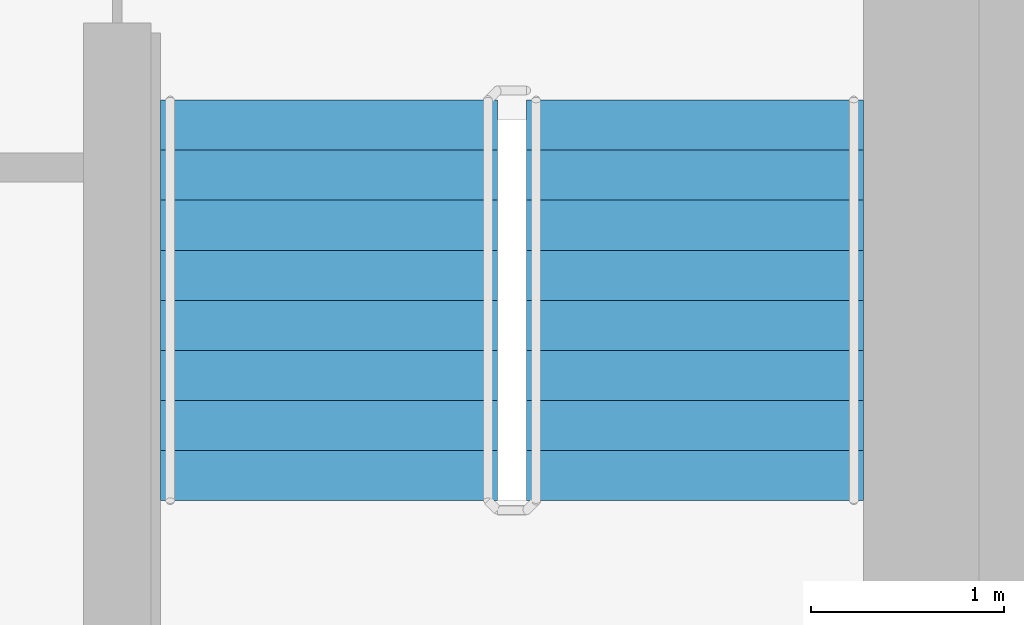
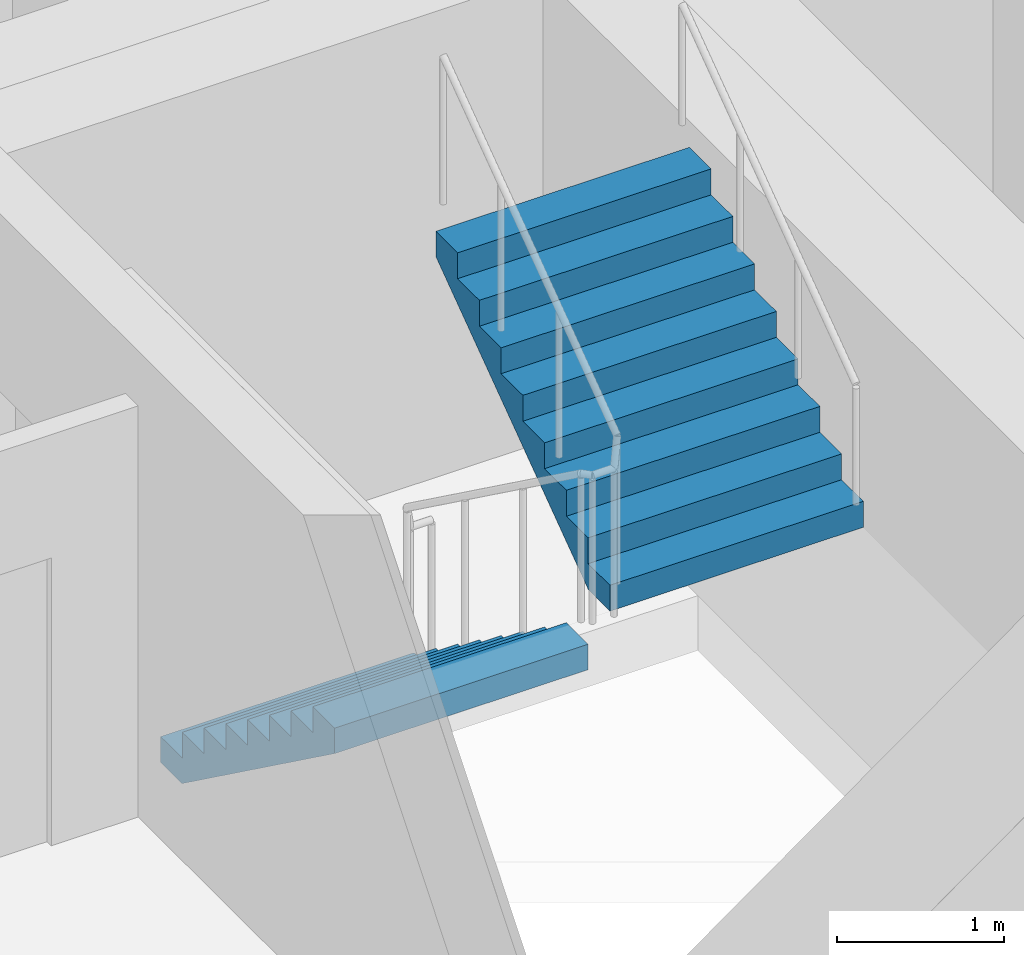
# One storey, part 14 of 18: 2 stair flights, 1 element without a shape of its own.
"""IFC4 building model written with IfcOpenShell, lengths in metres."""

from ifc_helpers import new_model, si_unit, direction, frame, origin, place, context, subcontext, project, spatial, faceted_brep, material, type_object, element, aggregate, save


model = new_model("IFC4")

# Units and contexts
model_context = context("Model", 3, precision=1e-05, world=origin(), true_north=direction((0.0, 1.0)))
body_context = subcontext(model_context, "Body", "Model", "MODEL_VIEW")
ifc_project = project(units=[si_unit("LENGTHUNIT", "METRE"), si_unit("AREAUNIT", "SQUARE_METRE"), si_unit("VOLUMEUNIT", "CUBIC_METRE"), si_unit("PLANEANGLEUNIT", "RADIAN"), si_unit("MASSUNIT", "GRAM", prefix="KILO")], contexts=[model_context])

# Site, building, storey
site_placement = place(None, origin())
site = spatial("IfcSite", under=ifc_project, at=site_placement, CompositionType="ELEMENT")
building_placement = place(site_placement, origin())
building = spatial("IfcBuilding", under=site, at=building_placement, Name="Ipe Terrace Towers", CompositionType="ELEMENT")
storey_placement = place(building_placement, frame((0.0, 0.0, 223.199951171875)))
storey = spatial("IfcBuildingStorey", under=building, at=storey_placement, Name="L62", CompositionType="ELEMENT", Elevation=223.199951171875)

# Stair, stair flights
ifc_material_1 = material(Name="Concrete C30/37", Category="concrete")
stair_type = type_object("IfcStairType", Name="Protected exit stair", PredefinedType="HALF_TURN_STAIR", material=ifc_material_1)
stair_placement = place(storey_placement, origin())
stair = element("IfcStair", 1, at=stair_placement, inside=storey, type_object=stair_type, Name="L62 Exit stair T2-C2", PredefinedType="HALF_TURN_STAIR")
ifc_material_2 = material(Name="Concrete C30/37", Category="concrete")
stair_flight_type = type_object("IfcStairFlightType", Name="Exit stair flight 1750", PredefinedType="STRAIGHT", material=ifc_material_2)
stair_flight_1_placement = place(storey_placement, frame((38.77490234375, -9.699951171875, 0.0), z_axis=(0.0, 0.0, 1.0), x_axis=(0.0, -1.0, 0.0)))
stair_flight_1 = element("IfcStairFlight", 2, at=stair_flight_1_placement, type_object=stair_flight_type, Name="T2-ST2 flight 1", NumberOfRisers=9, NumberOfTreads=8, PredefinedType="STRAIGHT", RiserHeight=0.188888889, TreadLength=0.26, context=body_context, shape_type="Brep", body=[
    faceted_brep([(0.255126953125, -0.875, 0.0), (2.080078125, -0.875, 1.325927734375), (2.080078125, -0.875, 1.51123046875), (1.820068359375, -0.875, 1.51123046875), (1.820068359375, -0.875, 1.322265625), (1.56005859375, -0.875, 1.322265625), (1.56005859375, -0.875, 1.13330078125), (1.300048828125, -0.875, 1.13330078125), (1.300048828125, -0.875, 0.9443359375), (1.0400390625, -0.875, 0.9443359375), (1.0400390625, -0.875, 0.755615234375), (0.780029296875, -0.875, 0.755615234375), (0.780029296875, -0.875, 0.566650390625), (0.52001953125, -0.875, 0.566650390625), (0.52001953125, -0.875, 0.377685546875), (0.260009765625, -0.875, 0.377685546875), (0.260009765625, -0.875, 0.18896484375), (0.0, -0.875, 0.18896484375), (0.0, -0.875, 0.0), (0.0, 0.875, 0.0), (0.0, 0.875, 0.18896484375), (0.260009765625, 0.875, 0.18896484375), (0.260009765625, 0.875, 0.377685546875), (0.52001953125, 0.875, 0.377685546875), (0.52001953125, 0.875, 0.566650390625), (0.780029296875, 0.875, 0.566650390625), (0.780029296875, 0.875, 0.755615234375), (1.0400390625, 0.875, 0.755615234375), (1.0400390625, 0.875, 0.9443359375), (1.300048828125, 0.875, 0.9443359375), (1.300048828125, 0.875, 1.13330078125), (1.56005859375, 0.875, 1.13330078125), (1.56005859375, 0.875, 1.322265625), (1.820068359375, 0.875, 1.322265625), (1.820068359375, 0.875, 1.51123046875), (2.080078125, 0.875, 1.51123046875), (2.080078125, 0.875, 1.325927734375), (0.255126953125, 0.875, 0.0), (0.0, -0.300048828125, 0.18896484375), (0.0, -0.1201171875, 0.18896484375), (0.0, -0.06005859375, 0.18896484375), (0.0, -0.030029296875, 0.18896484375), (0.0, -0.010009765625, 0.18896484375), (0.0, 0.0, 0.18896484375), (0.0, 0.010009765625, 0.18896484375), (0.0, 0.030029296875, 0.18896484375), (0.0, 0.06005859375, 0.18896484375), (0.0, 0.1201171875, 0.18896484375), (0.0, 0.300048828125, 0.18896484375), (0.0, 0.300048828125, 0.0), (0.0, 0.1201171875, 0.0), (0.0, 0.06005859375, 0.0), (0.0, 0.030029296875, 0.0), (0.0, 0.010009765625, 0.0), (0.0, 0.0, 0.0), (0.0, -0.010009765625, 0.0), (0.0, -0.030029296875, 0.0), (0.0, -0.06005859375, 0.0), (0.0, -0.1201171875, 0.0), (0.0, -0.300048828125, 0.0), (0.260009765625, -0.300048828125, 0.18896484375), (0.260009765625, -0.1201171875, 0.18896484375), (0.260009765625, -0.06005859375, 0.18896484375), (0.260009765625, -0.030029296875, 0.18896484375), (0.260009765625, -0.010009765625, 0.18896484375), (0.260009765625, 0.0, 0.18896484375), (0.260009765625, 0.010009765625, 0.18896484375), (0.260009765625, 0.030029296875, 0.18896484375), (0.260009765625, 0.06005859375, 0.18896484375), (0.260009765625, 0.1201171875, 0.18896484375), (0.260009765625, 0.300048828125, 0.18896484375), (0.260009765625, -0.300048828125, 0.377685546875), (0.260009765625, -0.1201171875, 0.377685546875), (0.260009765625, -0.06005859375, 0.377685546875), (0.260009765625, -0.030029296875, 0.377685546875), (0.260009765625, -0.010009765625, 0.377685546875), (0.260009765625, 0.0, 0.377685546875), (0.260009765625, 0.010009765625, 0.377685546875), (0.260009765625, 0.030029296875, 0.377685546875), (0.260009765625, 0.06005859375, 0.377685546875), (0.260009765625, 0.1201171875, 0.377685546875), (0.260009765625, 0.300048828125, 0.377685546875), (0.52001953125, -0.300048828125, 0.377685546875), (0.52001953125, -0.1201171875, 0.377685546875), (0.52001953125, -0.06005859375, 0.377685546875), (0.52001953125, -0.030029296875, 0.377685546875), (0.52001953125, -0.010009765625, 0.377685546875), (0.52001953125, 0.0, 0.377685546875), (0.52001953125, 0.010009765625, 0.377685546875), (0.52001953125, 0.030029296875, 0.377685546875), (0.52001953125, 0.06005859375, 0.377685546875), (0.52001953125, 0.1201171875, 0.377685546875), (0.52001953125, 0.300048828125, 0.377685546875), (0.52001953125, -0.300048828125, 0.566650390625), (0.52001953125, -0.1201171875, 0.566650390625), (0.52001953125, -0.06005859375, 0.566650390625), (0.52001953125, -0.030029296875, 0.566650390625), (0.52001953125, -0.010009765625, 0.566650390625), (0.52001953125, 0.0, 0.566650390625), (0.52001953125, 0.010009765625, 0.566650390625), (0.52001953125, 0.030029296875, 0.566650390625), (0.52001953125, 0.06005859375, 0.566650390625), (0.52001953125, 0.1201171875, 0.566650390625), (0.52001953125, 0.300048828125, 0.566650390625), (0.780029296875, -0.300048828125, 0.566650390625), (0.780029296875, -0.1201171875, 0.566650390625), (0.780029296875, -0.06005859375, 0.566650390625), (0.780029296875, -0.030029296875, 0.566650390625), (0.780029296875, -0.010009765625, 0.566650390625), (0.780029296875, 0.0, 0.566650390625), (0.780029296875, 0.010009765625, 0.566650390625), (0.780029296875, 0.030029296875, 0.566650390625), (0.780029296875, 0.06005859375, 0.566650390625), (0.780029296875, 0.1201171875, 0.566650390625), (0.780029296875, 0.300048828125, 0.566650390625), (0.780029296875, -0.300048828125, 0.755615234375), (0.780029296875, -0.1201171875, 0.755615234375), (0.780029296875, -0.06005859375, 0.755615234375), (0.780029296875, -0.030029296875, 0.755615234375), (0.780029296875, -0.010009765625, 0.755615234375), (0.780029296875, 0.0, 0.755615234375), (0.780029296875, 0.010009765625, 0.755615234375), (0.780029296875, 0.030029296875, 0.755615234375), (0.780029296875, 0.06005859375, 0.755615234375), (0.780029296875, 0.1201171875, 0.755615234375), (0.780029296875, 0.300048828125, 0.755615234375), (1.0400390625, -0.300048828125, 0.755615234375), (1.0400390625, -0.1201171875, 0.755615234375), (1.0400390625, -0.06005859375, 0.755615234375), (1.0400390625, -0.030029296875, 0.755615234375), (1.0400390625, -0.010009765625, 0.755615234375), (1.0400390625, 0.0, 0.755615234375), (1.0400390625, 0.010009765625, 0.755615234375), (1.0400390625, 0.030029296875, 0.755615234375), (1.0400390625, 0.06005859375, 0.755615234375), (1.0400390625, 0.1201171875, 0.755615234375), (1.0400390625, 0.300048828125, 0.755615234375), (1.0400390625, -0.300048828125, 0.9443359375), (1.0400390625, -0.1201171875, 0.9443359375), (1.0400390625, -0.06005859375, 0.9443359375), (1.0400390625, -0.030029296875, 0.9443359375), (1.0400390625, -0.010009765625, 0.9443359375), (1.0400390625, 0.0, 0.9443359375), (1.0400390625, 0.010009765625, 0.9443359375), (1.0400390625, 0.030029296875, 0.9443359375), (1.0400390625, 0.06005859375, 0.9443359375), (1.0400390625, 0.1201171875, 0.9443359375), (1.0400390625, 0.300048828125, 0.9443359375), (1.300048828125, -0.300048828125, 0.9443359375), (1.300048828125, -0.1201171875, 0.9443359375), (1.300048828125, -0.06005859375, 0.9443359375), (1.300048828125, -0.030029296875, 0.9443359375), (1.300048828125, -0.010009765625, 0.9443359375), (1.300048828125, 0.0, 0.9443359375), (1.300048828125, 0.010009765625, 0.9443359375), (1.300048828125, 0.030029296875, 0.9443359375), (1.300048828125, 0.06005859375, 0.9443359375), (1.300048828125, 0.1201171875, 0.9443359375), (1.300048828125, 0.300048828125, 0.9443359375), (1.300048828125, -0.300048828125, 1.13330078125), (1.300048828125, -0.1201171875, 1.13330078125), (1.300048828125, -0.06005859375, 1.13330078125), (1.300048828125, -0.030029296875, 1.13330078125), (1.300048828125, -0.010009765625, 1.13330078125), (1.300048828125, 0.0, 1.13330078125), (1.300048828125, 0.010009765625, 1.13330078125), (1.300048828125, 0.030029296875, 1.13330078125), (1.300048828125, 0.06005859375, 1.13330078125), (1.300048828125, 0.1201171875, 1.13330078125), (1.300048828125, 0.300048828125, 1.13330078125), (1.56005859375, -0.300048828125, 1.13330078125), (1.56005859375, -0.1201171875, 1.13330078125), (1.56005859375, -0.06005859375, 1.13330078125), (1.56005859375, -0.030029296875, 1.13330078125), (1.56005859375, -0.010009765625, 1.13330078125), (1.56005859375, 0.0, 1.13330078125), (1.56005859375, 0.010009765625, 1.13330078125), (1.56005859375, 0.030029296875, 1.13330078125), (1.56005859375, 0.06005859375, 1.13330078125), (1.56005859375, 0.1201171875, 1.13330078125), (1.56005859375, 0.300048828125, 1.13330078125), (1.56005859375, -0.300048828125, 1.322265625), (1.56005859375, -0.1201171875, 1.322265625), (1.56005859375, -0.06005859375, 1.322265625), (1.56005859375, -0.030029296875, 1.322265625), (1.56005859375, -0.010009765625, 1.322265625), (1.56005859375, 0.0, 1.322265625), (1.56005859375, 0.010009765625, 1.322265625), (1.56005859375, 0.030029296875, 1.322265625), (1.56005859375, 0.06005859375, 1.322265625), (1.56005859375, 0.1201171875, 1.322265625), (1.56005859375, 0.300048828125, 1.322265625), (1.820068359375, -0.300048828125, 1.322265625), (1.820068359375, -0.1201171875, 1.322265625), (1.820068359375, -0.06005859375, 1.322265625), (1.820068359375, -0.030029296875, 1.322265625), (1.820068359375, -0.010009765625, 1.322265625), (1.820068359375, 0.0, 1.322265625), (1.820068359375, 0.010009765625, 1.322265625), (1.820068359375, 0.030029296875, 1.322265625), (1.820068359375, 0.06005859375, 1.322265625), (1.820068359375, 0.1201171875, 1.322265625), (1.820068359375, 0.300048828125, 1.322265625), (1.820068359375, -0.300048828125, 1.51123046875), (1.820068359375, -0.1201171875, 1.51123046875), (1.820068359375, -0.06005859375, 1.51123046875), (1.820068359375, -0.030029296875, 1.51123046875), (1.820068359375, -0.010009765625, 1.51123046875), (1.820068359375, 0.0, 1.51123046875), (1.820068359375, 0.010009765625, 1.51123046875), (1.820068359375, 0.030029296875, 1.51123046875), (1.820068359375, 0.06005859375, 1.51123046875), (1.820068359375, 0.1201171875, 1.51123046875), (1.820068359375, 0.300048828125, 1.51123046875), (2.080078125, -0.300048828125, 1.51123046875), (2.080078125, -0.1201171875, 1.51123046875), (2.080078125, -0.06005859375, 1.51123046875), (2.080078125, -0.030029296875, 1.51123046875), (2.080078125, -0.010009765625, 1.51123046875), (2.080078125, 0.0, 1.51123046875), (2.080078125, 0.010009765625, 1.51123046875), (2.080078125, 0.030029296875, 1.51123046875), (2.080078125, 0.06005859375, 1.51123046875), (2.080078125, 0.1201171875, 1.51123046875), (2.080078125, 0.300048828125, 1.51123046875), (2.080078125, -0.300048828125, 1.325927734375), (2.080078125, -0.1201171875, 1.325927734375), (2.080078125, -0.06005859375, 1.325927734375), (2.080078125, -0.030029296875, 1.325927734375), (2.080078125, -0.010009765625, 1.325927734375), (2.080078125, 0.0, 1.325927734375), (2.080078125, 0.010009765625, 1.325927734375), (2.080078125, 0.030029296875, 1.325927734375), (2.080078125, 0.06005859375, 1.325927734375), (2.080078125, 0.1201171875, 1.325927734375), (2.080078125, 0.300048828125, 1.325927734375), (0.255126953125, -0.300048828125, 0.0), (0.255126953125, -0.1201171875, 0.0), (0.255126953125, -0.06005859375, 0.0), (0.255126953125, -0.030029296875, 0.0), (0.255126953125, -0.010009765625, 0.0), (0.255126953125, 0.0, 0.0), (0.255126953125, 0.010009765625, 0.0), (0.255126953125, 0.030029296875, 0.0), (0.255126953125, 0.06005859375, 0.0), (0.255126953125, 0.1201171875, 0.0), (0.255126953125, 0.300048828125, 0.0)], [[[0, 1, 2, 3, 4, 5, 6, 7, 8, 9, 10, 11, 12, 13, 14, 15, 16, 17, 18]], [[19, 20, 21, 22, 23, 24, 25, 26, 27, 28, 29, 30, 31, 32, 33, 34, 35, 36, 37]], [[17, 38, 39, 40, 41, 42, 43, 44, 45, 46, 47, 48, 20, 19, 49, 50, 51, 52, 53, 54, 55, 56, 57, 58, 59, 18]], [[16, 60, 61, 62, 63, 64, 65, 66, 67, 68, 69, 70, 21, 20, 48, 47, 46, 45, 44, 43, 42, 41, 40, 39, 38, 17]], [[15, 71, 72, 73, 74, 75, 76, 77, 78, 79, 80, 81, 22, 21, 70, 69, 68, 67, 66, 65, 64, 63, 62, 61, 60, 16]], [[14, 82, 83, 84, 85, 86, 87, 88, 89, 90, 91, 92, 23, 22, 81, 80, 79, 78, 77, 76, 75, 74, 73, 72, 71, 15]], [[13, 93, 94, 95, 96, 97, 98, 99, 100, 101, 102, 103, 24, 23, 92, 91, 90, 89, 88, 87, 86, 85, 84, 83, 82, 14]], [[12, 104, 105, 106, 107, 108, 109, 110, 111, 112, 113, 114, 25, 24, 103, 102, 101, 100, 99, 98, 97, 96, 95, 94, 93, 13]], [[11, 115, 116, 117, 118, 119, 120, 121, 122, 123, 124, 125, 26, 25, 114, 113, 112, 111, 110, 109, 108, 107, 106, 105, 104, 12]], [[10, 126, 127, 128, 129, 130, 131, 132, 133, 134, 135, 136, 27, 26, 125, 124, 123, 122, 121, 120, 119, 118, 117, 116, 115, 11]], [[9, 137, 138, 139, 140, 141, 142, 143, 144, 145, 146, 147, 28, 27, 136, 135, 134, 133, 132, 131, 130, 129, 128, 127, 126, 10]], [[8, 148, 149, 150, 151, 152, 153, 154, 155, 156, 157, 158, 29, 28, 147, 146, 145, 144, 143, 142, 141, 140, 139, 138, 137, 9]], [[7, 159, 160, 161, 162, 163, 164, 165, 166, 167, 168, 169, 30, 29, 158, 157, 156, 155, 154, 153, 152, 151, 150, 149, 148, 8]], [[6, 170, 171, 172, 173, 174, 175, 176, 177, 178, 179, 180, 31, 30, 169, 168, 167, 166, 165, 164, 163, 162, 161, 160, 159, 7]], [[5, 181, 182, 183, 184, 185, 186, 187, 188, 189, 190, 191, 32, 31, 180, 179, 178, 177, 176, 175, 174, 173, 172, 171, 170, 6]], [[4, 192, 193, 194, 195, 196, 197, 198, 199, 200, 201, 202, 33, 32, 191, 190, 189, 188, 187, 186, 185, 184, 183, 182, 181, 5]], [[3, 203, 204, 205, 206, 207, 208, 209, 210, 211, 212, 213, 34, 33, 202, 201, 200, 199, 198, 197, 196, 195, 194, 193, 192, 4]], [[2, 214, 215, 216, 217, 218, 219, 220, 221, 222, 223, 224, 35, 34, 213, 212, 211, 210, 209, 208, 207, 206, 205, 204, 203, 3]], [[1, 225, 226, 227, 228, 229, 230, 231, 232, 233, 234, 235, 36, 35, 224, 223, 222, 221, 220, 219, 218, 217, 216, 215, 214, 2]], [[0, 236, 237, 238, 239, 240, 241, 242, 243, 244, 245, 246, 37, 36, 235, 234, 233, 232, 231, 230, 229, 228, 227, 226, 225, 1]], [[18, 59, 58, 57, 56, 55, 54, 53, 52, 51, 50, 49, 19, 37, 246, 245, 244, 243, 242, 241, 240, 239, 238, 237, 236, 0]]]),
])
stair_flight_2_placement = place(storey_placement, frame((40.675048828125, -11.780029296875, 1.699951171875), z_axis=(0.0, 0.0, 1.0), x_axis=(0.0, 1.0, 0.0)))
stair_flight_2 = element("IfcStairFlight", 3, at=stair_flight_2_placement, type_object=stair_flight_type, Name="T2-ST2 flight 2", NumberOfRisers=9, NumberOfTreads=8, PredefinedType="STRAIGHT", RiserHeight=0.188888889, TreadLength=0.26, context=body_context, shape_type="Brep", body=[
    faceted_brep([(0.255126953125, -0.875, 0.0), (2.080078125, -0.875, 1.325927734375), (2.080078125, -0.875, 1.51123046875), (1.820068359375, -0.875, 1.51123046875), (1.820068359375, -0.875, 1.322265625), (1.56005859375, -0.875, 1.322265625), (1.56005859375, -0.875, 1.13330078125), (1.300048828125, -0.875, 1.13330078125), (1.300048828125, -0.875, 0.9443359375), (1.0400390625, -0.875, 0.9443359375), (1.0400390625, -0.875, 0.755615234375), (0.780029296875, -0.875, 0.755615234375), (0.780029296875, -0.875, 0.566650390625), (0.52001953125, -0.875, 0.566650390625), (0.52001953125, -0.875, 0.377685546875), (0.260009765625, -0.875, 0.377685546875), (0.260009765625, -0.875, 0.18896484375), (0.0, -0.875, 0.18896484375), (0.0, -0.875, 0.0), (0.0, 0.875, 0.0), (0.0, 0.875, 0.18896484375), (0.260009765625, 0.875, 0.18896484375), (0.260009765625, 0.875, 0.377685546875), (0.52001953125, 0.875, 0.377685546875), (0.52001953125, 0.875, 0.566650390625), (0.780029296875, 0.875, 0.566650390625), (0.780029296875, 0.875, 0.755615234375), (1.0400390625, 0.875, 0.755615234375), (1.0400390625, 0.875, 0.9443359375), (1.300048828125, 0.875, 0.9443359375), (1.300048828125, 0.875, 1.13330078125), (1.56005859375, 0.875, 1.13330078125), (1.56005859375, 0.875, 1.322265625), (1.820068359375, 0.875, 1.322265625), (1.820068359375, 0.875, 1.51123046875), (2.080078125, 0.875, 1.51123046875), (2.080078125, 0.875, 1.325927734375), (0.255126953125, 0.875, 0.0), (0.0, -0.300048828125, 0.18896484375), (0.0, -0.1201171875, 0.18896484375), (0.0, -0.06005859375, 0.18896484375), (0.0, -0.030029296875, 0.18896484375), (0.0, -0.010009765625, 0.18896484375), (0.0, 0.0, 0.18896484375), (0.0, 0.010009765625, 0.18896484375), (0.0, 0.030029296875, 0.18896484375), (0.0, 0.06005859375, 0.18896484375), (0.0, 0.1201171875, 0.18896484375), (0.0, 0.300048828125, 0.18896484375), (0.0, 0.300048828125, 0.0), (0.0, 0.1201171875, 0.0), (0.0, 0.06005859375, 0.0), (0.0, 0.030029296875, 0.0), (0.0, 0.010009765625, 0.0), (0.0, 0.0, 0.0), (0.0, -0.010009765625, 0.0), (0.0, -0.030029296875, 0.0), (0.0, -0.06005859375, 0.0), (0.0, -0.1201171875, 0.0), (0.0, -0.300048828125, 0.0), (0.260009765625, -0.300048828125, 0.18896484375), (0.260009765625, -0.1201171875, 0.18896484375), (0.260009765625, -0.06005859375, 0.18896484375), (0.260009765625, -0.030029296875, 0.18896484375), (0.260009765625, -0.010009765625, 0.18896484375), (0.260009765625, 0.0, 0.18896484375), (0.260009765625, 0.010009765625, 0.18896484375), (0.260009765625, 0.030029296875, 0.18896484375), (0.260009765625, 0.06005859375, 0.18896484375), (0.260009765625, 0.1201171875, 0.18896484375), (0.260009765625, 0.300048828125, 0.18896484375), (0.260009765625, -0.300048828125, 0.377685546875), (0.260009765625, -0.1201171875, 0.377685546875), (0.260009765625, -0.06005859375, 0.377685546875), (0.260009765625, -0.030029296875, 0.377685546875), (0.260009765625, -0.010009765625, 0.377685546875), (0.260009765625, 0.0, 0.377685546875), (0.260009765625, 0.010009765625, 0.377685546875), (0.260009765625, 0.030029296875, 0.377685546875), (0.260009765625, 0.06005859375, 0.377685546875), (0.260009765625, 0.1201171875, 0.377685546875), (0.260009765625, 0.300048828125, 0.377685546875), (0.52001953125, -0.300048828125, 0.377685546875), (0.52001953125, -0.1201171875, 0.377685546875), (0.52001953125, -0.06005859375, 0.377685546875), (0.52001953125, -0.030029296875, 0.377685546875), (0.52001953125, -0.010009765625, 0.377685546875), (0.52001953125, 0.0, 0.377685546875), (0.52001953125, 0.010009765625, 0.377685546875), (0.52001953125, 0.030029296875, 0.377685546875), (0.52001953125, 0.06005859375, 0.377685546875), (0.52001953125, 0.1201171875, 0.377685546875), (0.52001953125, 0.300048828125, 0.377685546875), (0.52001953125, -0.300048828125, 0.566650390625), (0.52001953125, -0.1201171875, 0.566650390625), (0.52001953125, -0.06005859375, 0.566650390625), (0.52001953125, -0.030029296875, 0.566650390625), (0.52001953125, -0.010009765625, 0.566650390625), (0.52001953125, 0.0, 0.566650390625), (0.52001953125, 0.010009765625, 0.566650390625), (0.52001953125, 0.030029296875, 0.566650390625), (0.52001953125, 0.06005859375, 0.566650390625), (0.52001953125, 0.1201171875, 0.566650390625), (0.52001953125, 0.300048828125, 0.566650390625), (0.780029296875, -0.300048828125, 0.566650390625), (0.780029296875, -0.1201171875, 0.566650390625), (0.780029296875, -0.06005859375, 0.566650390625), (0.780029296875, -0.030029296875, 0.566650390625), (0.780029296875, -0.010009765625, 0.566650390625), (0.780029296875, 0.0, 0.566650390625), (0.780029296875, 0.010009765625, 0.566650390625), (0.780029296875, 0.030029296875, 0.566650390625), (0.780029296875, 0.06005859375, 0.566650390625), (0.780029296875, 0.1201171875, 0.566650390625), (0.780029296875, 0.300048828125, 0.566650390625), (0.780029296875, -0.300048828125, 0.755615234375), (0.780029296875, -0.1201171875, 0.755615234375), (0.780029296875, -0.06005859375, 0.755615234375), (0.780029296875, -0.030029296875, 0.755615234375), (0.780029296875, -0.010009765625, 0.755615234375), (0.780029296875, 0.0, 0.755615234375), (0.780029296875, 0.010009765625, 0.755615234375), (0.780029296875, 0.030029296875, 0.755615234375), (0.780029296875, 0.06005859375, 0.755615234375), (0.780029296875, 0.1201171875, 0.755615234375), (0.780029296875, 0.300048828125, 0.755615234375), (1.0400390625, -0.300048828125, 0.755615234375), (1.0400390625, -0.1201171875, 0.755615234375), (1.0400390625, -0.06005859375, 0.755615234375), (1.0400390625, -0.030029296875, 0.755615234375), (1.0400390625, -0.010009765625, 0.755615234375), (1.0400390625, 0.0, 0.755615234375), (1.0400390625, 0.010009765625, 0.755615234375), (1.0400390625, 0.030029296875, 0.755615234375), (1.0400390625, 0.06005859375, 0.755615234375), (1.0400390625, 0.1201171875, 0.755615234375), (1.0400390625, 0.300048828125, 0.755615234375), (1.0400390625, -0.300048828125, 0.9443359375), (1.0400390625, -0.1201171875, 0.9443359375), (1.0400390625, -0.06005859375, 0.9443359375), (1.0400390625, -0.030029296875, 0.9443359375), (1.0400390625, -0.010009765625, 0.9443359375), (1.0400390625, 0.0, 0.9443359375), (1.0400390625, 0.010009765625, 0.9443359375), (1.0400390625, 0.030029296875, 0.9443359375), (1.0400390625, 0.06005859375, 0.9443359375), (1.0400390625, 0.1201171875, 0.9443359375), (1.0400390625, 0.300048828125, 0.9443359375), (1.300048828125, -0.300048828125, 0.9443359375), (1.300048828125, -0.1201171875, 0.9443359375), (1.300048828125, -0.06005859375, 0.9443359375), (1.300048828125, -0.030029296875, 0.9443359375), (1.300048828125, -0.010009765625, 0.9443359375), (1.300048828125, 0.0, 0.9443359375), (1.300048828125, 0.010009765625, 0.9443359375), (1.300048828125, 0.030029296875, 0.9443359375), (1.300048828125, 0.06005859375, 0.9443359375), (1.300048828125, 0.1201171875, 0.9443359375), (1.300048828125, 0.300048828125, 0.9443359375), (1.300048828125, -0.300048828125, 1.13330078125), (1.300048828125, -0.1201171875, 1.13330078125), (1.300048828125, -0.06005859375, 1.13330078125), (1.300048828125, -0.030029296875, 1.13330078125), (1.300048828125, -0.010009765625, 1.13330078125), (1.300048828125, 0.0, 1.13330078125), (1.300048828125, 0.010009765625, 1.13330078125), (1.300048828125, 0.030029296875, 1.13330078125), (1.300048828125, 0.06005859375, 1.13330078125), (1.300048828125, 0.1201171875, 1.13330078125), (1.300048828125, 0.300048828125, 1.13330078125), (1.56005859375, -0.300048828125, 1.13330078125), (1.56005859375, -0.1201171875, 1.13330078125), (1.56005859375, -0.06005859375, 1.13330078125), (1.56005859375, -0.030029296875, 1.13330078125), (1.56005859375, -0.010009765625, 1.13330078125), (1.56005859375, 0.0, 1.13330078125), (1.56005859375, 0.010009765625, 1.13330078125), (1.56005859375, 0.030029296875, 1.13330078125), (1.56005859375, 0.06005859375, 1.13330078125), (1.56005859375, 0.1201171875, 1.13330078125), (1.56005859375, 0.300048828125, 1.13330078125), (1.56005859375, -0.300048828125, 1.322265625), (1.56005859375, -0.1201171875, 1.322265625), (1.56005859375, -0.06005859375, 1.322265625), (1.56005859375, -0.030029296875, 1.322265625), (1.56005859375, -0.010009765625, 1.322265625), (1.56005859375, 0.0, 1.322265625), (1.56005859375, 0.010009765625, 1.322265625), (1.56005859375, 0.030029296875, 1.322265625), (1.56005859375, 0.06005859375, 1.322265625), (1.56005859375, 0.1201171875, 1.322265625), (1.56005859375, 0.300048828125, 1.322265625), (1.820068359375, -0.300048828125, 1.322265625), (1.820068359375, -0.1201171875, 1.322265625), (1.820068359375, -0.06005859375, 1.322265625), (1.820068359375, -0.030029296875, 1.322265625), (1.820068359375, -0.010009765625, 1.322265625), (1.820068359375, 0.0, 1.322265625), (1.820068359375, 0.010009765625, 1.322265625), (1.820068359375, 0.030029296875, 1.322265625), (1.820068359375, 0.06005859375, 1.322265625), (1.820068359375, 0.1201171875, 1.322265625), (1.820068359375, 0.300048828125, 1.322265625), (1.820068359375, -0.300048828125, 1.51123046875), (1.820068359375, -0.1201171875, 1.51123046875), (1.820068359375, -0.06005859375, 1.51123046875), (1.820068359375, -0.030029296875, 1.51123046875), (1.820068359375, -0.010009765625, 1.51123046875), (1.820068359375, 0.0, 1.51123046875), (1.820068359375, 0.010009765625, 1.51123046875), (1.820068359375, 0.030029296875, 1.51123046875), (1.820068359375, 0.06005859375, 1.51123046875), (1.820068359375, 0.1201171875, 1.51123046875), (1.820068359375, 0.300048828125, 1.51123046875), (2.080078125, -0.300048828125, 1.51123046875), (2.080078125, -0.1201171875, 1.51123046875), (2.080078125, -0.06005859375, 1.51123046875), (2.080078125, -0.030029296875, 1.51123046875), (2.080078125, -0.010009765625, 1.51123046875), (2.080078125, 0.0, 1.51123046875), (2.080078125, 0.010009765625, 1.51123046875), (2.080078125, 0.030029296875, 1.51123046875), (2.080078125, 0.06005859375, 1.51123046875), (2.080078125, 0.1201171875, 1.51123046875), (2.080078125, 0.300048828125, 1.51123046875), (2.080078125, -0.300048828125, 1.325927734375), (2.080078125, -0.1201171875, 1.325927734375), (2.080078125, -0.06005859375, 1.325927734375), (2.080078125, -0.030029296875, 1.325927734375), (2.080078125, -0.010009765625, 1.325927734375), (2.080078125, 0.0, 1.325927734375), (2.080078125, 0.010009765625, 1.325927734375), (2.080078125, 0.030029296875, 1.325927734375), (2.080078125, 0.06005859375, 1.325927734375), (2.080078125, 0.1201171875, 1.325927734375), (2.080078125, 0.300048828125, 1.325927734375), (0.255126953125, -0.300048828125, 0.0), (0.255126953125, -0.1201171875, 0.0), (0.255126953125, -0.06005859375, 0.0), (0.255126953125, -0.030029296875, 0.0), (0.255126953125, -0.010009765625, 0.0), (0.255126953125, 0.0, 0.0), (0.255126953125, 0.010009765625, 0.0), (0.255126953125, 0.030029296875, 0.0), (0.255126953125, 0.06005859375, 0.0), (0.255126953125, 0.1201171875, 0.0), (0.255126953125, 0.300048828125, 0.0)], [[[0, 1, 2, 3, 4, 5, 6, 7, 8, 9, 10, 11, 12, 13, 14, 15, 16, 17, 18]], [[19, 20, 21, 22, 23, 24, 25, 26, 27, 28, 29, 30, 31, 32, 33, 34, 35, 36, 37]], [[17, 38, 39, 40, 41, 42, 43, 44, 45, 46, 47, 48, 20, 19, 49, 50, 51, 52, 53, 54, 55, 56, 57, 58, 59, 18]], [[16, 60, 61, 62, 63, 64, 65, 66, 67, 68, 69, 70, 21, 20, 48, 47, 46, 45, 44, 43, 42, 41, 40, 39, 38, 17]], [[15, 71, 72, 73, 74, 75, 76, 77, 78, 79, 80, 81, 22, 21, 70, 69, 68, 67, 66, 65, 64, 63, 62, 61, 60, 16]], [[14, 82, 83, 84, 85, 86, 87, 88, 89, 90, 91, 92, 23, 22, 81, 80, 79, 78, 77, 76, 75, 74, 73, 72, 71, 15]], [[13, 93, 94, 95, 96, 97, 98, 99, 100, 101, 102, 103, 24, 23, 92, 91, 90, 89, 88, 87, 86, 85, 84, 83, 82, 14]], [[12, 104, 105, 106, 107, 108, 109, 110, 111, 112, 113, 114, 25, 24, 103, 102, 101, 100, 99, 98, 97, 96, 95, 94, 93, 13]], [[11, 115, 116, 117, 118, 119, 120, 121, 122, 123, 124, 125, 26, 25, 114, 113, 112, 111, 110, 109, 108, 107, 106, 105, 104, 12]], [[10, 126, 127, 128, 129, 130, 131, 132, 133, 134, 135, 136, 27, 26, 125, 124, 123, 122, 121, 120, 119, 118, 117, 116, 115, 11]], [[9, 137, 138, 139, 140, 141, 142, 143, 144, 145, 146, 147, 28, 27, 136, 135, 134, 133, 132, 131, 130, 129, 128, 127, 126, 10]], [[8, 148, 149, 150, 151, 152, 153, 154, 155, 156, 157, 158, 29, 28, 147, 146, 145, 144, 143, 142, 141, 140, 139, 138, 137, 9]], [[7, 159, 160, 161, 162, 163, 164, 165, 166, 167, 168, 169, 30, 29, 158, 157, 156, 155, 154, 153, 152, 151, 150, 149, 148, 8]], [[6, 170, 171, 172, 173, 174, 175, 176, 177, 178, 179, 180, 31, 30, 169, 168, 167, 166, 165, 164, 163, 162, 161, 160, 159, 7]], [[5, 181, 182, 183, 184, 185, 186, 187, 188, 189, 190, 191, 32, 31, 180, 179, 178, 177, 176, 175, 174, 173, 172, 171, 170, 6]], [[4, 192, 193, 194, 195, 196, 197, 198, 199, 200, 201, 202, 33, 32, 191, 190, 189, 188, 187, 186, 185, 184, 183, 182, 181, 5]], [[3, 203, 204, 205, 206, 207, 208, 209, 210, 211, 212, 213, 34, 33, 202, 201, 200, 199, 198, 197, 196, 195, 194, 193, 192, 4]], [[2, 214, 215, 216, 217, 218, 219, 220, 221, 222, 223, 224, 35, 34, 213, 212, 211, 210, 209, 208, 207, 206, 205, 204, 203, 3]], [[1, 225, 226, 227, 228, 229, 230, 231, 232, 233, 234, 235, 36, 35, 224, 223, 222, 221, 220, 219, 218, 217, 216, 215, 214, 2]], [[0, 236, 237, 238, 239, 240, 241, 242, 243, 244, 245, 246, 37, 36, 235, 234, 233, 232, 231, 230, 229, 228, 227, 226, 225, 1]], [[18, 59, 58, 57, 56, 55, 54, 53, 52, 51, 50, 49, 19, 37, 246, 245, 244, 243, 242, 241, 240, 239, 238, 237, 236, 0]]]),
])
aggregate(stair, [stair_flight_1, stair_flight_2])

save(model, "model.ifc")
